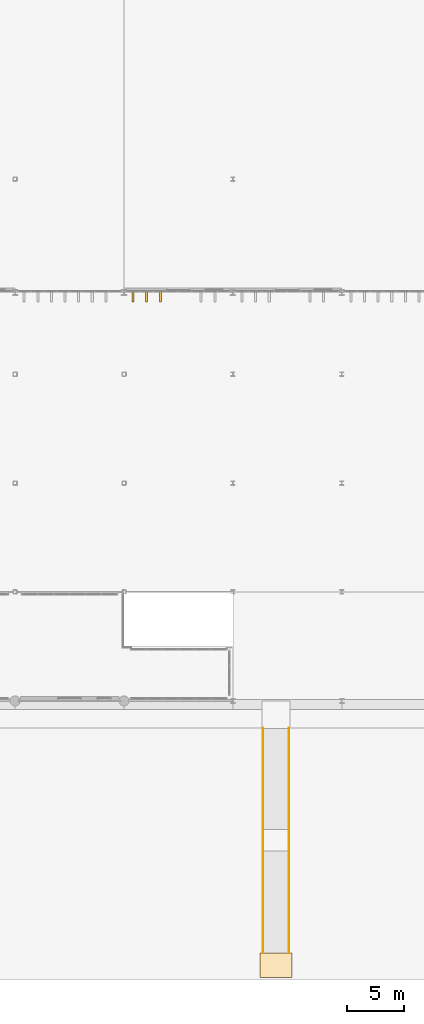
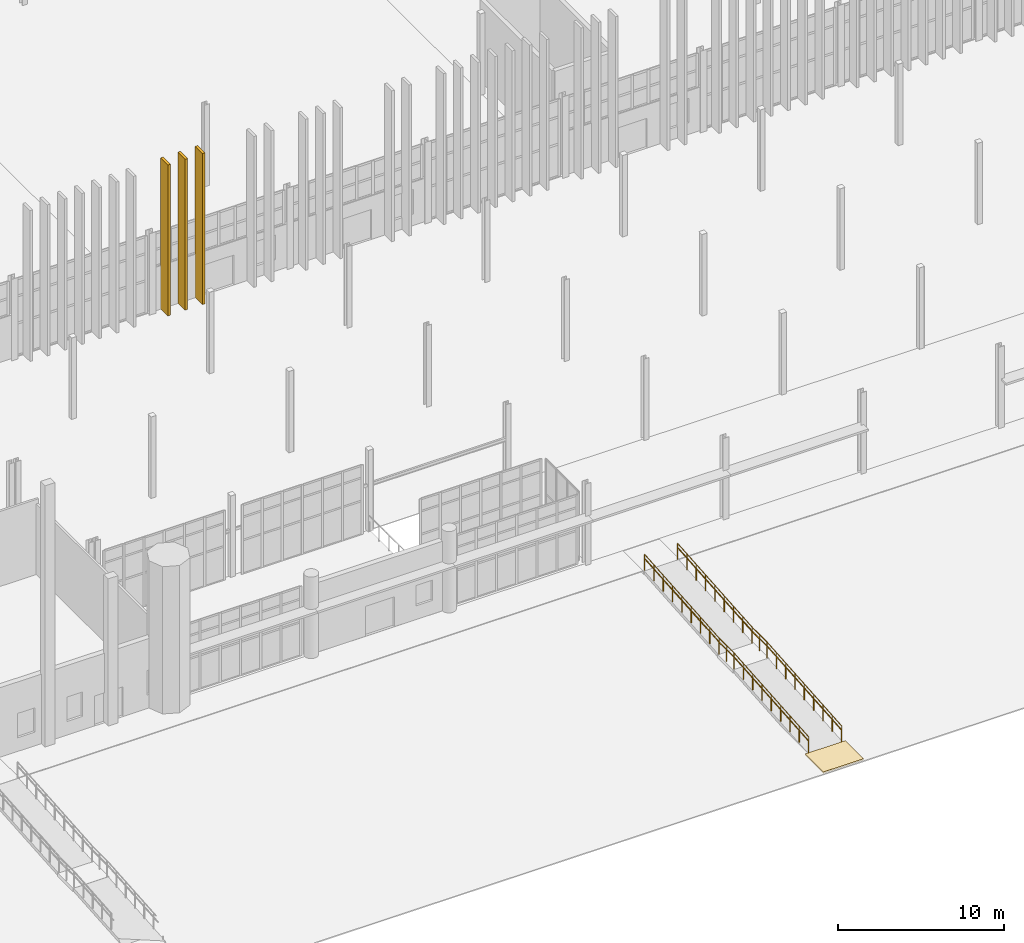
# One storey, part 113 of 139: 4 coverings, 4 railings.
"""IFC4 building model written with IfcOpenShell, lengths in metres."""

from ifc_helpers import new_model, si_unit, direction, frame, origin, origin_2d, place, context, subcontext, project, spatial, polyline, rectangle, circle, outline, extrude, material, layer, layer_set, type_object, element, save


model = new_model("IFC4")

# Units and contexts
model_context = context("Model", 3, precision=1e-05, world=origin(), true_north=direction((0.0, 1.0)))
body_context = subcontext(model_context, "Body", "Model", "MODEL_VIEW")
ifc_project = project(units=[si_unit("LENGTHUNIT", "METRE"), si_unit("AREAUNIT", "SQUARE_METRE"), si_unit("VOLUMEUNIT", "CUBIC_METRE"), si_unit("PLANEANGLEUNIT", "RADIAN"), si_unit("MASSUNIT", "GRAM", prefix="KILO")], contexts=[model_context])

# Site, building, storey
site_placement = place(None, origin())
site = spatial("IfcSite", under=ifc_project, at=site_placement, CompositionType="ELEMENT")
building_placement = place(site_placement, origin())
building = spatial("IfcBuilding", under=site, at=building_placement, Name="Yeouljin Market Hall", CompositionType="ELEMENT")
storey_placement = place(building_placement, origin())
storey = spatial("IfcBuildingStorey", under=building, at=storey_placement, Name="L00", CompositionType="ELEMENT", Elevation=0.0)

# Coverings
ifc_material_1 = material(Name="Pocheon Granite Stone", Category="masonry")
ifc_layer_1 = layer(ifc_material_1, 0.050048828125)
ifc_layer_set_1 = layer_set([ifc_layer_1], Name="Pocheon Granite Stone")
covering_type_1 = type_object("IfcCoveringType", Name="Covering_Granite_PlinthPaving", PredefinedType="FLOORING", material=ifc_layer_set_1)
covering_placement = place(storey_placement, frame((0.0, 0.0, -1.5400390625)))
element("IfcCovering", 1, at=covering_placement, inside=storey, type_object=covering_type_1, Name="Street sidewalk landing 02", PredefinedType="FLOORING", context=body_context, shape_type="SweptSolid", body=[
    extrude(outline(polyline([(66.60009765625, -24.39990234375), (69.39990234375, -24.39990234375), (69.39990234375, -22.199951171875), (66.60009765625, -22.199951171875), (66.60009765625, -24.39990234375)])), origin(), (0.0, 0.0, 1.0), 0.10009765625),
])
ifc_material_2 = material(Name="White Limestone and Bronze Solar Fin", Category="masonry")
ifc_layer_2 = layer(ifc_material_2, 0.179931640625)
ifc_layer_set_2 = layer_set([ifc_layer_2], Name="White Limestone and Bronze Solar Fin")
covering_type_2 = type_object("IfcCoveringType", Name="Covering_Limestone_SolarFin", PredefinedType="CLADDING", material=ifc_layer_set_2)
for number, where, z_axis, x_axis, name in (
    (2, (55.39990234375, 35.60009765625, 0.0), (0.0, 0.0, 1.0), (1.0, 0.0, 0.0), "Hall south vertical lantern fin 025"),
    (3, (56.60009765625, 35.60009765625, 0.0), (0.0, 0.0, 1.0), (1.0, 0.0, 0.0), "Hall south vertical lantern fin 026"),
    (4, (57.800048828125, 35.60009765625, 0.0), (0.0, 0.0, 1.0), (1.0, 0.0, 0.0), "Hall south vertical lantern fin 027"),
):
    element("IfcCovering", number, at=place(storey_placement, frame(where, z_axis=z_axis, x_axis=x_axis)), inside=storey, type_object=covering_type_2, Name=name, PredefinedType="CLADDING", context=body_context, shape_type="SweptSolid", body=[
        extrude(rectangle(XDim=0.179931640625, YDim=0.8798828125, at=origin_2d()), origin(), (0.0, 0.0, 1.0), 11.1201171875),
    ])

# Railings
ifc_material_3 = material(Name="Brushed Stainless Steel", Category="steel")
railing_type_1 = type_object("IfcRailingType", Name="Railing_RampHandrail_900", PredefinedType="HANDRAIL", material=ifc_material_3)
railing_1_placement = place(storey_placement, frame((66.85009765625, -22.199951171875, -1.43994140625)))
element("IfcRailing", 5, at=railing_1_placement, inside=storey, type_object=railing_type_1, Name="Pedestrian ramp 02 W handrail", PredefinedType="HANDRAIL", context=body_context, shape_type="SweptSolid", body=[
    extrude(circle(Radius=0.02392578125, at=origin_2d()), frame((0.0, 0.0, 0.8759765625), z_axis=(0.0, 0.996815536467, 0.079741998075), x_axis=(-1.0, 0.0, 0.0)), (0.0, 0.0, 1.0), 9.02880859375),
    extrude(circle(Radius=0.02392578125, at=origin_2d()), frame((0.0, 9.0, 1.595703125), z_axis=(0.0, 1.0, 0.0), x_axis=(-1.0, 0.0, 0.0)), (0.0, 0.0, 1.0), 1.800048828125),
    extrude(circle(Radius=0.02392578125, at=origin_2d()), frame((0.0, 10.800048828125, 1.595703125), z_axis=(0.0, 0.996815536467, 0.079741998075), x_axis=(-1.0, 0.0, 0.0)), (0.0, 0.0, 1.0), 9.02880859375),
    extrude(circle(Radius=0.02099609375, at=origin_2d()), origin(), (0.0, 0.0, 1.0), 0.851806640625),
    extrude(circle(Radius=0.02099609375, at=origin_2d()), frame((0.0, 1.125, 0.090087890625)), (0.0, 0.0, 1.0), 0.851806640625),
    extrude(circle(Radius=0.02099609375, at=origin_2d()), frame((0.0, 2.25, 0.179931640625)), (0.0, 0.0, 1.0), 0.851806640625),
    extrude(circle(Radius=0.02099609375, at=origin_2d()), frame((0.0, 3.375, 0.27001953125)), (0.0, 0.0, 1.0), 0.851806640625),
    extrude(circle(Radius=0.02099609375, at=origin_2d()), frame((0.0, 4.5, 0.35986328125)), (0.0, 0.0, 1.0), 0.851806640625),
    extrude(circle(Radius=0.02099609375, at=origin_2d()), frame((0.0, 5.625, 0.449951171875)), (0.0, 0.0, 1.0), 0.851806640625),
    extrude(circle(Radius=0.02099609375, at=origin_2d()), frame((0.0, 6.75, 0.5400390625)), (0.0, 0.0, 1.0), 0.851806640625),
    extrude(circle(Radius=0.02099609375, at=origin_2d()), frame((0.0, 7.875, 0.6298828125)), (0.0, 0.0, 1.0), 0.851806640625),
    extrude(circle(Radius=0.02099609375, at=origin_2d()), frame((0.0, 9.0, 0.719970703125)), (0.0, 0.0, 1.0), 0.851806640625),
    extrude(circle(Radius=0.02099609375, at=origin_2d()), frame((0.0, 9.89990234375, 0.719970703125)), (0.0, 0.0, 1.0), 0.851806640625),
    extrude(circle(Radius=0.02099609375, at=origin_2d()), frame((0.0, 10.800048828125, 0.719970703125)), (0.0, 0.0, 1.0), 0.851806640625),
    extrude(circle(Radius=0.02099609375, at=origin_2d()), frame((0.0, 11.925048828125, 0.81005859375)), (0.0, 0.0, 1.0), 0.851806640625),
    extrude(circle(Radius=0.02099609375, at=origin_2d()), frame((0.0, 13.050048828125, 0.89990234375)), (0.0, 0.0, 1.0), 0.851806640625),
    extrude(circle(Radius=0.02099609375, at=origin_2d()), frame((0.0, 14.175048828125, 0.989990234375)), (0.0, 0.0, 1.0), 0.851806640625),
    extrude(circle(Radius=0.02099609375, at=origin_2d()), frame((0.0, 15.300048828125, 1.080078125)), (0.0, 0.0, 1.0), 0.851806640625),
    extrude(circle(Radius=0.02099609375, at=origin_2d()), frame((0.0, 16.425048828125, 1.169921875)), (0.0, 0.0, 1.0), 0.851806640625),
    extrude(circle(Radius=0.02099609375, at=origin_2d()), frame((0.0, 17.550048828125, 1.260009765625)), (0.0, 0.0, 1.0), 0.851806640625),
    extrude(circle(Radius=0.02099609375, at=origin_2d()), frame((0.0, 18.675048828125, 1.349853515625)), (0.0, 0.0, 1.0), 0.851806640625),
    extrude(circle(Radius=0.02099609375, at=origin_2d()), frame((0.0, 19.800048828125, 1.43994140625)), (0.0, 0.0, 1.0), 0.851806640625),
])
railing_2_placement = place(storey_placement, frame((69.14990234375, -22.199951171875, -1.43994140625)))
element("IfcRailing", 6, at=railing_2_placement, inside=storey, type_object=railing_type_1, Name="Pedestrian ramp 02 E handrail", PredefinedType="HANDRAIL", context=body_context, shape_type="SweptSolid", body=[
    extrude(circle(Radius=0.02392578125, at=origin_2d()), frame((0.0, 0.0, 0.8759765625), z_axis=(0.0, 0.996815536467, 0.079741998075), x_axis=(-1.0, 0.0, 0.0)), (0.0, 0.0, 1.0), 9.02880859375),
    extrude(circle(Radius=0.02392578125, at=origin_2d()), frame((0.0, 9.0, 1.595703125), z_axis=(0.0, 1.0, 0.0), x_axis=(-1.0, 0.0, 0.0)), (0.0, 0.0, 1.0), 1.800048828125),
    extrude(circle(Radius=0.02392578125, at=origin_2d()), frame((0.0, 10.800048828125, 1.595703125), z_axis=(0.0, 0.996815536467, 0.079741998075), x_axis=(-1.0, 0.0, 0.0)), (0.0, 0.0, 1.0), 9.02880859375),
    extrude(circle(Radius=0.02099609375, at=origin_2d()), origin(), (0.0, 0.0, 1.0), 0.851806640625),
    extrude(circle(Radius=0.02099609375, at=origin_2d()), frame((0.0, 1.125, 0.090087890625)), (0.0, 0.0, 1.0), 0.851806640625),
    extrude(circle(Radius=0.02099609375, at=origin_2d()), frame((0.0, 2.25, 0.179931640625)), (0.0, 0.0, 1.0), 0.851806640625),
    extrude(circle(Radius=0.02099609375, at=origin_2d()), frame((0.0, 3.375, 0.27001953125)), (0.0, 0.0, 1.0), 0.851806640625),
    extrude(circle(Radius=0.02099609375, at=origin_2d()), frame((0.0, 4.5, 0.35986328125)), (0.0, 0.0, 1.0), 0.851806640625),
    extrude(circle(Radius=0.02099609375, at=origin_2d()), frame((0.0, 5.625, 0.449951171875)), (0.0, 0.0, 1.0), 0.851806640625),
    extrude(circle(Radius=0.02099609375, at=origin_2d()), frame((0.0, 6.75, 0.5400390625)), (0.0, 0.0, 1.0), 0.851806640625),
    extrude(circle(Radius=0.02099609375, at=origin_2d()), frame((0.0, 7.875, 0.6298828125)), (0.0, 0.0, 1.0), 0.851806640625),
    extrude(circle(Radius=0.02099609375, at=origin_2d()), frame((0.0, 9.0, 0.719970703125)), (0.0, 0.0, 1.0), 0.851806640625),
    extrude(circle(Radius=0.02099609375, at=origin_2d()), frame((0.0, 9.89990234375, 0.719970703125)), (0.0, 0.0, 1.0), 0.851806640625),
    extrude(circle(Radius=0.02099609375, at=origin_2d()), frame((0.0, 10.800048828125, 0.719970703125)), (0.0, 0.0, 1.0), 0.851806640625),
    extrude(circle(Radius=0.02099609375, at=origin_2d()), frame((0.0, 11.925048828125, 0.81005859375)), (0.0, 0.0, 1.0), 0.851806640625),
    extrude(circle(Radius=0.02099609375, at=origin_2d()), frame((0.0, 13.050048828125, 0.89990234375)), (0.0, 0.0, 1.0), 0.851806640625),
    extrude(circle(Radius=0.02099609375, at=origin_2d()), frame((0.0, 14.175048828125, 0.989990234375)), (0.0, 0.0, 1.0), 0.851806640625),
    extrude(circle(Radius=0.02099609375, at=origin_2d()), frame((0.0, 15.300048828125, 1.080078125)), (0.0, 0.0, 1.0), 0.851806640625),
    extrude(circle(Radius=0.02099609375, at=origin_2d()), frame((0.0, 16.425048828125, 1.169921875)), (0.0, 0.0, 1.0), 0.851806640625),
    extrude(circle(Radius=0.02099609375, at=origin_2d()), frame((0.0, 17.550048828125, 1.260009765625)), (0.0, 0.0, 1.0), 0.851806640625),
    extrude(circle(Radius=0.02099609375, at=origin_2d()), frame((0.0, 18.675048828125, 1.349853515625)), (0.0, 0.0, 1.0), 0.851806640625),
    extrude(circle(Radius=0.02099609375, at=origin_2d()), frame((0.0, 19.800048828125, 1.43994140625)), (0.0, 0.0, 1.0), 0.851806640625),
])
ifc_material_4 = material(Name="Architectural Bronze Balustrade")
railing_type_2 = type_object("IfcRailingType", Name="Railing_TerraceGuard_1200", PredefinedType="GUARDRAIL", material=ifc_material_4)
railing_3_placement = place(storey_placement, frame((66.85009765625, -22.199951171875, -1.43994140625)))
element("IfcRailing", 7, at=railing_3_placement, inside=storey, type_object=railing_type_2, Name="Pedestrian ramp 02 W guardrail", PredefinedType="GUARDRAIL", context=body_context, shape_type="SweptSolid", body=[
    extrude(circle(Radius=0.02392578125, at=origin_2d()), frame((0.0, 0.0, 1.17578125), z_axis=(0.0, 0.996815536467, 0.079741998075), x_axis=(-1.0, 0.0, 0.0)), (0.0, 0.0, 1.0), 9.02880859375),
    extrude(circle(Radius=0.02392578125, at=origin_2d()), frame((0.0, 9.0, 1.89599609375), z_axis=(0.0, 1.0, 0.0), x_axis=(-1.0, 0.0, 0.0)), (0.0, 0.0, 1.0), 1.800048828125),
    extrude(circle(Radius=0.02392578125, at=origin_2d()), frame((0.0, 10.800048828125, 1.89599609375), z_axis=(0.0, 0.996815536467, 0.079741998075), x_axis=(-1.0, 0.0, 0.0)), (0.0, 0.0, 1.0), 9.02880859375),
    extrude(circle(Radius=0.02099609375, at=origin_2d()), origin(), (0.0, 0.0, 1.0), 1.15185546875),
    extrude(circle(Radius=0.02099609375, at=origin_2d()), frame((0.0, 1.125, 0.090087890625)), (0.0, 0.0, 1.0), 1.15185546875),
    extrude(circle(Radius=0.02099609375, at=origin_2d()), frame((0.0, 2.25, 0.179931640625)), (0.0, 0.0, 1.0), 1.15185546875),
    extrude(circle(Radius=0.02099609375, at=origin_2d()), frame((0.0, 3.375, 0.27001953125)), (0.0, 0.0, 1.0), 1.15185546875),
    extrude(circle(Radius=0.02099609375, at=origin_2d()), frame((0.0, 4.5, 0.35986328125)), (0.0, 0.0, 1.0), 1.15185546875),
    extrude(circle(Radius=0.02099609375, at=origin_2d()), frame((0.0, 5.625, 0.449951171875)), (0.0, 0.0, 1.0), 1.15185546875),
    extrude(circle(Radius=0.02099609375, at=origin_2d()), frame((0.0, 6.75, 0.5400390625)), (0.0, 0.0, 1.0), 1.15185546875),
    extrude(circle(Radius=0.02099609375, at=origin_2d()), frame((0.0, 7.875, 0.6298828125)), (0.0, 0.0, 1.0), 1.15185546875),
    extrude(circle(Radius=0.02099609375, at=origin_2d()), frame((0.0, 9.0, 0.719970703125)), (0.0, 0.0, 1.0), 1.15185546875),
    extrude(circle(Radius=0.02099609375, at=origin_2d()), frame((0.0, 9.89990234375, 0.719970703125)), (0.0, 0.0, 1.0), 1.15185546875),
    extrude(circle(Radius=0.02099609375, at=origin_2d()), frame((0.0, 10.800048828125, 0.719970703125)), (0.0, 0.0, 1.0), 1.15185546875),
    extrude(circle(Radius=0.02099609375, at=origin_2d()), frame((0.0, 11.925048828125, 0.81005859375)), (0.0, 0.0, 1.0), 1.15185546875),
    extrude(circle(Radius=0.02099609375, at=origin_2d()), frame((0.0, 13.050048828125, 0.89990234375)), (0.0, 0.0, 1.0), 1.15185546875),
    extrude(circle(Radius=0.02099609375, at=origin_2d()), frame((0.0, 14.175048828125, 0.989990234375)), (0.0, 0.0, 1.0), 1.15185546875),
    extrude(circle(Radius=0.02099609375, at=origin_2d()), frame((0.0, 15.300048828125, 1.080078125)), (0.0, 0.0, 1.0), 1.15185546875),
    extrude(circle(Radius=0.02099609375, at=origin_2d()), frame((0.0, 16.425048828125, 1.169921875)), (0.0, 0.0, 1.0), 1.15185546875),
    extrude(circle(Radius=0.02099609375, at=origin_2d()), frame((0.0, 17.550048828125, 1.260009765625)), (0.0, 0.0, 1.0), 1.15185546875),
    extrude(circle(Radius=0.02099609375, at=origin_2d()), frame((0.0, 18.675048828125, 1.349853515625)), (0.0, 0.0, 1.0), 1.15185546875),
    extrude(circle(Radius=0.02099609375, at=origin_2d()), frame((0.0, 19.800048828125, 1.43994140625)), (0.0, 0.0, 1.0), 1.15185546875),
])
railing_4_placement = place(storey_placement, frame((69.14990234375, -22.199951171875, -1.43994140625)))
element("IfcRailing", 8, at=railing_4_placement, inside=storey, type_object=railing_type_2, Name="Pedestrian ramp 02 E guardrail", PredefinedType="GUARDRAIL", context=body_context, shape_type="SweptSolid", body=[
    extrude(circle(Radius=0.02392578125, at=origin_2d()), frame((0.0, 0.0, 1.17578125), z_axis=(0.0, 0.996815536467, 0.079741998075), x_axis=(-1.0, 0.0, 0.0)), (0.0, 0.0, 1.0), 9.02880859375),
    extrude(circle(Radius=0.02392578125, at=origin_2d()), frame((0.0, 9.0, 1.89599609375), z_axis=(0.0, 1.0, 0.0), x_axis=(-1.0, 0.0, 0.0)), (0.0, 0.0, 1.0), 1.800048828125),
    extrude(circle(Radius=0.02392578125, at=origin_2d()), frame((0.0, 10.800048828125, 1.89599609375), z_axis=(0.0, 0.996815536467, 0.079741998075), x_axis=(-1.0, 0.0, 0.0)), (0.0, 0.0, 1.0), 9.02880859375),
    extrude(circle(Radius=0.02099609375, at=origin_2d()), origin(), (0.0, 0.0, 1.0), 1.15185546875),
    extrude(circle(Radius=0.02099609375, at=origin_2d()), frame((0.0, 1.125, 0.090087890625)), (0.0, 0.0, 1.0), 1.15185546875),
    extrude(circle(Radius=0.02099609375, at=origin_2d()), frame((0.0, 2.25, 0.179931640625)), (0.0, 0.0, 1.0), 1.15185546875),
    extrude(circle(Radius=0.02099609375, at=origin_2d()), frame((0.0, 3.375, 0.27001953125)), (0.0, 0.0, 1.0), 1.15185546875),
    extrude(circle(Radius=0.02099609375, at=origin_2d()), frame((0.0, 4.5, 0.35986328125)), (0.0, 0.0, 1.0), 1.15185546875),
    extrude(circle(Radius=0.02099609375, at=origin_2d()), frame((0.0, 5.625, 0.449951171875)), (0.0, 0.0, 1.0), 1.15185546875),
    extrude(circle(Radius=0.02099609375, at=origin_2d()), frame((0.0, 6.75, 0.5400390625)), (0.0, 0.0, 1.0), 1.15185546875),
    extrude(circle(Radius=0.02099609375, at=origin_2d()), frame((0.0, 7.875, 0.6298828125)), (0.0, 0.0, 1.0), 1.15185546875),
    extrude(circle(Radius=0.02099609375, at=origin_2d()), frame((0.0, 9.0, 0.719970703125)), (0.0, 0.0, 1.0), 1.15185546875),
    extrude(circle(Radius=0.02099609375, at=origin_2d()), frame((0.0, 9.89990234375, 0.719970703125)), (0.0, 0.0, 1.0), 1.15185546875),
    extrude(circle(Radius=0.02099609375, at=origin_2d()), frame((0.0, 10.800048828125, 0.719970703125)), (0.0, 0.0, 1.0), 1.15185546875),
    extrude(circle(Radius=0.02099609375, at=origin_2d()), frame((0.0, 11.925048828125, 0.81005859375)), (0.0, 0.0, 1.0), 1.15185546875),
    extrude(circle(Radius=0.02099609375, at=origin_2d()), frame((0.0, 13.050048828125, 0.89990234375)), (0.0, 0.0, 1.0), 1.15185546875),
    extrude(circle(Radius=0.02099609375, at=origin_2d()), frame((0.0, 14.175048828125, 0.989990234375)), (0.0, 0.0, 1.0), 1.15185546875),
    extrude(circle(Radius=0.02099609375, at=origin_2d()), frame((0.0, 15.300048828125, 1.080078125)), (0.0, 0.0, 1.0), 1.15185546875),
    extrude(circle(Radius=0.02099609375, at=origin_2d()), frame((0.0, 16.425048828125, 1.169921875)), (0.0, 0.0, 1.0), 1.15185546875),
    extrude(circle(Radius=0.02099609375, at=origin_2d()), frame((0.0, 17.550048828125, 1.260009765625)), (0.0, 0.0, 1.0), 1.15185546875),
    extrude(circle(Radius=0.02099609375, at=origin_2d()), frame((0.0, 18.675048828125, 1.349853515625)), (0.0, 0.0, 1.0), 1.15185546875),
    extrude(circle(Radius=0.02099609375, at=origin_2d()), frame((0.0, 19.800048828125, 1.43994140625)), (0.0, 0.0, 1.0), 1.15185546875),
])

save(model, "model.ifc")
